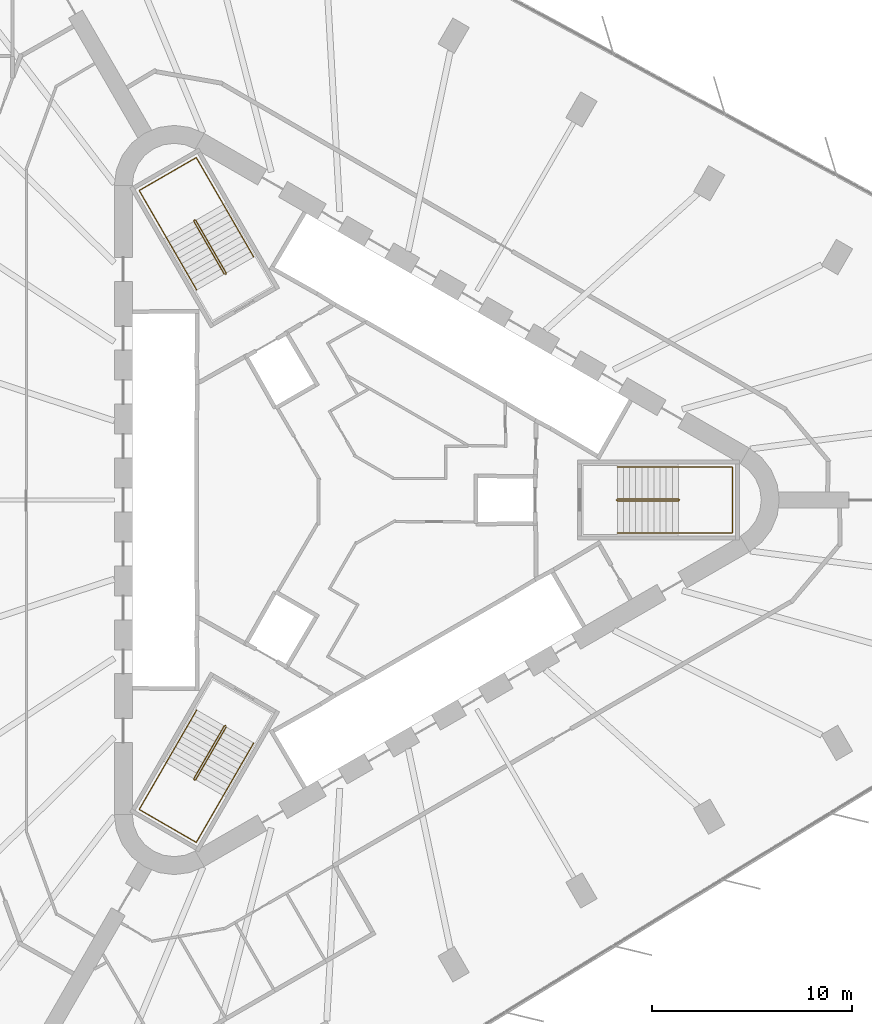
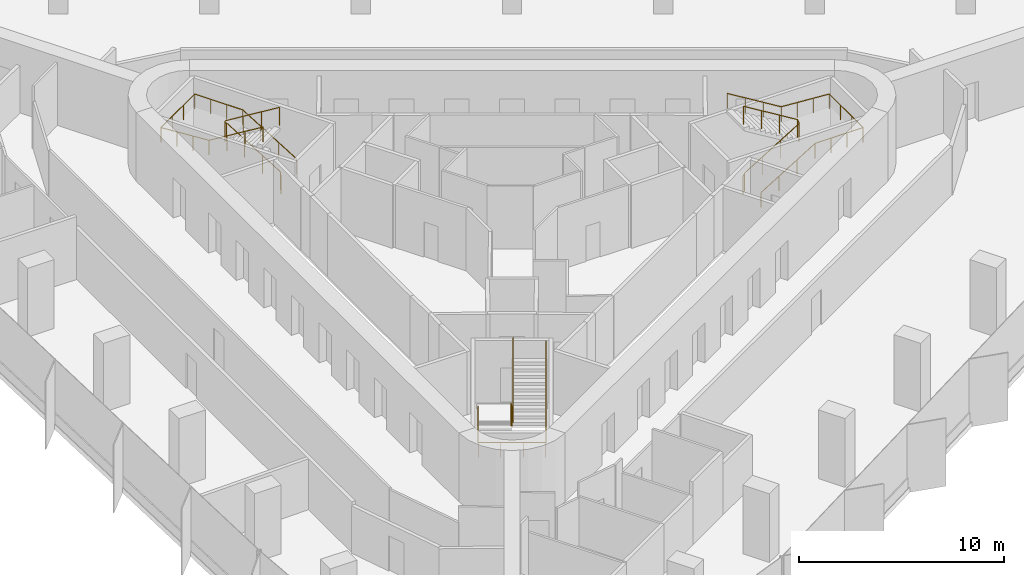
# One storey, part 14 of 14: 6 railings.
"""IFC4 building model written with IfcOpenShell, lengths in metres."""

from ifc_helpers import new_model, si_unit, direction, frame, origin, origin_2d, place, context, subcontext, project, spatial, circle, extrude, material, type_object, element, save


model = new_model("IFC4")

# Units and contexts
model_context = context("Model", 3, precision=1e-05, world=origin(), true_north=direction((0.0, 1.0)))
body_context = subcontext(model_context, "Body", "Model", "MODEL_VIEW")
ifc_project = project(units=[si_unit("LENGTHUNIT", "METRE"), si_unit("AREAUNIT", "SQUARE_METRE"), si_unit("VOLUMEUNIT", "CUBIC_METRE"), si_unit("PLANEANGLEUNIT", "RADIAN"), si_unit("MASSUNIT", "GRAM", prefix="KILO")], contexts=[model_context])

# Site, building, storey
site_placement = place(None, origin())
site = spatial("IfcSite", under=ifc_project, at=site_placement, CompositionType="ELEMENT")
building_placement = place(site_placement, origin())
building = spatial("IfcBuilding", under=site, at=building_placement, Name="Tanit Gate Tower", CompositionType="ELEMENT")
storey_placement = place(building_placement, frame((0.0, 0.0, 152.10009765625)))
storey = spatial("IfcBuildingStorey", under=building, at=storey_placement, Name="L33", CompositionType="ELEMENT", Elevation=152.10009765625)

# Railings
ifc_material_1 = material(Name="Stainless steel balustrade", Category="steel")
railing_type_1 = type_object("IfcRailingType", Name="INT-STAIR-GUARD", PredefinedType="GUARDRAIL", material=ifc_material_1)
railing_1_placement = place(storey_placement, frame((13.044921875, 0.0048828125, 0.0)))
element("IfcRailing", 1, at=railing_1_placement, inside=storey, type_object=railing_type_1, Name="L33 S1 stair guard 1", PredefinedType="GUARDRAIL", context=body_context, shape_type="SweptSolid", body=[
    extrude(circle(Radius=0.02392578125, at=origin_2d()), frame((0.0, 0.0, 1.076171875), z_axis=(0.0, -1.0, 0.0), x_axis=(1.0, 0.0, 0.0)), (0.0, 0.0, 1.0), 0.009765625),
    extrude(circle(Radius=0.02392578125, at=origin_2d()), frame((0.0, -0.009765625, 1.076171875), z_axis=(0.251157038772, -0.251157038772, 0.934794246747), x_axis=(0.707106781187, 0.707106781187, 0.0)), (0.0, 0.0, 1.0), 0.19921875),
    extrude(circle(Radius=0.02392578125, at=origin_2d()), frame((0.050048828125, -0.059814453125, 1.26220703125), z_axis=(0.853405036568, 0.0, 0.521248351134), x_axis=(0.0, 1.0, 0.0)), (0.0, 0.0, 1.0), 3.5751953125),
    extrude(circle(Radius=0.02392578125, at=origin_2d()), frame((3.10107421875, -0.059814453125, 3.1259765625), z_axis=(0.707106781187, 0.707106781187, 0.0), x_axis=(-0.707106781187, 0.707106781187, 0.0)), (0.0, 0.0, 1.0), 0.07080078125),
    extrude(circle(Radius=0.02392578125, at=origin_2d()), frame((3.151123046875, -0.009765625, 3.1259765625), z_axis=(0.0, 1.0, 0.0), x_axis=(-1.0, 0.0, 0.0)), (0.0, 0.0, 1.0), 0.009765625),
    extrude(circle(Radius=0.02392578125, at=origin_2d()), frame((3.151123046875, 0.0, 3.1259765625), z_axis=(-0.250869701741, 0.250869701741, 0.934948546978), x_axis=(-0.707106781187, -0.707106781187, 0.0)), (0.0, 0.0, 1.0), 0.199462890625),
    extrude(circle(Radius=0.02392578125, at=origin_2d()), frame((3.10107421875, 0.050048828125, 3.3125), z_axis=(-0.853405036568, 0.0, 0.521248351134), x_axis=(0.0, -1.0, 0.0)), (0.0, 0.0, 1.0), 3.5751953125),
    extrude(circle(Radius=0.02099609375, at=origin_2d()), origin(), (0.0, 0.0, 1.0), 1.052001953125),
    extrude(circle(Radius=0.02099609375, at=origin_2d()), frame((0.0, -0.009765625, 0.0)), (0.0, 0.0, 1.0), 1.052001953125),
    extrude(circle(Radius=0.02099609375, at=origin_2d()), frame((0.050048828125, -0.059814453125, 0.186279296875)), (0.0, 0.0, 1.0), 1.052001953125),
    extrude(circle(Radius=0.02099609375, at=origin_2d()), frame((1.067138671875, -0.059814453125, 0.807373046875)), (0.0, 0.0, 1.0), 1.052001953125),
    extrude(circle(Radius=0.02099609375, at=origin_2d()), frame((2.083984375, -0.059814453125, 1.4287109375)), (0.0, 0.0, 1.0), 1.052001953125),
    extrude(circle(Radius=0.02099609375, at=origin_2d()), frame((3.10107421875, -0.059814453125, 2.0498046875)), (0.0, 0.0, 1.0), 1.052001953125),
    extrude(circle(Radius=0.02099609375, at=origin_2d()), frame((3.151123046875, -0.009765625, 2.0498046875)), (0.0, 0.0, 1.0), 1.052001953125),
    extrude(circle(Radius=0.02099609375, at=origin_2d()), frame((3.151123046875, 0.0, 2.0498046875)), (0.0, 0.0, 1.0), 1.052001953125),
    extrude(circle(Radius=0.02099609375, at=origin_2d()), frame((3.10107421875, 0.050048828125, 2.236328125)), (0.0, 0.0, 1.0), 1.052001953125),
    extrude(circle(Radius=0.02099609375, at=origin_2d()), frame((2.083984375, 0.050048828125, 2.857421875)), (0.0, 0.0, 1.0), 1.052001953125),
    extrude(circle(Radius=0.02099609375, at=origin_2d()), frame((1.067138671875, 0.050048828125, 3.478759765625)), (0.0, 0.0, 1.0), 1.052001953125),
    extrude(circle(Radius=0.02099609375, at=origin_2d()), frame((0.050048828125, 0.050048828125, 4.099853515625)), (0.0, 0.0, 1.0), 1.052001953125),
])
railing_2_placement = place(storey_placement, frame((-6.527099609375, 11.29345703125, 0.0)))
element("IfcRailing", 2, at=railing_2_placement, inside=storey, type_object=railing_type_1, Name="L33 S2 stair guard 1", PredefinedType="GUARDRAIL", context=body_context, shape_type="SweptSolid", body=[
    extrude(circle(Radius=0.02392578125, at=origin_2d()), frame((0.0, 0.0, 1.076171875), z_axis=(0.868243142124, 0.496138938357, 0.0), x_axis=(-0.496138938357, 0.868243142124, 0.0)), (0.0, 0.0, 1.0), 0.01171875),
    extrude(circle(Radius=0.02392578125, at=origin_2d()), frame((0.01025390625, 0.005859375, 1.076171875), z_axis=(0.091888445584, 0.343050196848, 0.93481178641), x_axis=(-0.965948051503, 0.258736085224, 0.0)), (0.0, 0.0, 1.0), 0.19921875),
    extrude(circle(Radius=0.02392578125, at=origin_2d()), frame((0.028564453125, 0.07421875, 1.26220703125), z_axis=(-0.426651696395, 0.73893750972, 0.521478366466), x_axis=(-0.866012246495, -0.500022788402, 0.0)), (0.0, 0.0, 1.0), 3.573486328125),
    extrude(circle(Radius=0.02392578125, at=origin_2d()), frame((-1.49609375, 2.71484375, 3.1259765625), z_axis=(-0.965715946433, 0.259601060869, 0.0), x_axis=(-0.259601060869, -0.965715946433, 0.0)), (0.0, 0.0, 1.0), 0.070556640625),
    extrude(circle(Radius=0.02392578125, at=origin_2d()), frame((-1.564208984375, 2.733154296875, 3.1259765625), z_axis=(-0.873197702015, -0.487366159264, 0.0), x_axis=(0.487366159264, -0.873197702015, 0.0)), (0.0, 0.0, 1.0), 0.011962890625),
    extrude(circle(Radius=0.02392578125, at=origin_2d()), frame((-1.57470703125, 2.727294921875, 3.1259765625), z_axis=(-0.09178331637, -0.342657714447, 0.934966049419), x_axis=(0.965948051503, -0.258736085224, 0.0)), (0.0, 0.0, 1.0), 0.199462890625),
    extrude(circle(Radius=0.02392578125, at=origin_2d()), frame((-1.593017578125, 2.658935546875, 3.3125), z_axis=(0.426651696395, -0.73893750972, 0.521478366466), x_axis=(0.866012246495, 0.500022788402, 0.0)), (0.0, 0.0, 1.0), 3.573486328125),
    extrude(circle(Radius=0.02099609375, at=origin_2d()), origin(), (0.0, 0.0, 1.0), 1.052001953125),
    extrude(circle(Radius=0.02099609375, at=origin_2d()), frame((0.01025390625, 0.005859375, 0.0)), (0.0, 0.0, 1.0), 1.052001953125),
    extrude(circle(Radius=0.02099609375, at=origin_2d()), frame((0.028564453125, 0.07421875, 0.186279296875)), (0.0, 0.0, 1.0), 1.052001953125),
    extrude(circle(Radius=0.02099609375, at=origin_2d()), frame((-0.479736328125, 0.954345703125, 0.807373046875)), (0.0, 0.0, 1.0), 1.052001953125),
    extrude(circle(Radius=0.02099609375, at=origin_2d()), frame((-0.98779296875, 1.834716796875, 1.4287109375)), (0.0, 0.0, 1.0), 1.052001953125),
    extrude(circle(Radius=0.02099609375, at=origin_2d()), frame((-1.49609375, 2.71484375, 2.0498046875)), (0.0, 0.0, 1.0), 1.052001953125),
    extrude(circle(Radius=0.02099609375, at=origin_2d()), frame((-1.564208984375, 2.733154296875, 2.0498046875)), (0.0, 0.0, 1.0), 1.052001953125),
    extrude(circle(Radius=0.02099609375, at=origin_2d()), frame((-1.57470703125, 2.727294921875, 2.0498046875)), (0.0, 0.0, 1.0), 1.052001953125),
    extrude(circle(Radius=0.02099609375, at=origin_2d()), frame((-1.593017578125, 2.658935546875, 2.236328125)), (0.0, 0.0, 1.0), 1.052001953125),
    extrude(circle(Radius=0.02099609375, at=origin_2d()), frame((-1.084716796875, 1.77880859375, 2.857421875)), (0.0, 0.0, 1.0), 1.052001953125),
    extrude(circle(Radius=0.02099609375, at=origin_2d()), frame((-0.57666015625, 0.8984375, 3.478759765625)), (0.0, 0.0, 1.0), 1.052001953125),
    extrude(circle(Radius=0.02099609375, at=origin_2d()), frame((-0.068359375, 0.018310546875, 4.099853515625)), (0.0, 0.0, 1.0), 1.052001953125),
])
railing_3_placement = place(storey_placement, frame((-6.51806640625, -11.2998046875, 0.0)))
element("IfcRailing", 3, at=railing_3_placement, inside=storey, type_object=railing_type_1, Name="L33 S3 stair guard 1", PredefinedType="GUARDRAIL", context=body_context, shape_type="SweptSolid", body=[
    extrude(circle(Radius=0.02392578125, at=origin_2d()), frame((0.0, 0.0, 1.076171875), z_axis=(-0.874157276122, 0.485642931179, 0.0), x_axis=(-0.485642931179, -0.874157276122, 0.0)), (0.0, 0.0, 1.0), 0.010009765625),
    extrude(circle(Radius=0.02392578125, at=origin_2d()), frame((-0.0087890625, 0.0048828125, 1.076171875), z_axis=(-0.343088566343, -0.090673406819, 0.934916343285), x_axis=(0.255512919477, -0.966805641264, 0.0)), (0.0, 0.0, 1.0), 0.19921875),
    extrude(circle(Radius=0.02392578125, at=origin_2d()), frame((-0.0771484375, -0.01318359375, 1.26220703125), z_axis=(-0.426668548982, -0.73908990167, 0.521248565042), x_axis=(0.866048339477, -0.499960272111, 0.0)), (0.0, 0.0, 1.0), 3.5751953125),
    extrude(circle(Radius=0.02392578125, at=origin_2d()), frame((-1.6025390625, -2.655517578125, 3.1259765625), z_axis=(0.258736085224, -0.965948051503, 0.0), x_axis=(0.965948051503, 0.258736085224, 0.0)), (0.0, 0.0, 1.0), 0.07080078125),
    extrude(circle(Radius=0.02392578125, at=origin_2d()), frame((-1.584228515625, -2.723876953125, 3.1259765625), z_axis=(0.868243142124, -0.496138938357, 0.0), x_axis=(0.496138938357, 0.868243142124, 0.0)), (0.0, 0.0, 1.0), 0.009765625),
    extrude(circle(Radius=0.02392578125, at=origin_2d()), frame((-1.57568359375, -2.728759765625, 3.1259765625), z_axis=(0.342657714447, 0.09178331637, 0.934966049419), x_axis=(-0.258736085224, 0.965948051503, 0.0)), (0.0, 0.0, 1.0), 0.199462890625),
    extrude(circle(Radius=0.02392578125, at=origin_2d()), frame((-1.50732421875, -2.71044921875, 3.3125), z_axis=(0.426745940485, 0.73903737685, 0.521259683745), x_axis=(-0.865993683553, 0.500054937028, 0.0)), (0.0, 0.0, 1.0), 3.574951171875),
    extrude(circle(Radius=0.02099609375, at=origin_2d()), origin(), (0.0, 0.0, 1.0), 1.052001953125),
    extrude(circle(Radius=0.02099609375, at=origin_2d()), frame((-0.0087890625, 0.0048828125, 0.0)), (0.0, 0.0, 1.0), 1.052001953125),
    extrude(circle(Radius=0.02099609375, at=origin_2d()), frame((-0.0771484375, -0.01318359375, 0.186279296875)), (0.0, 0.0, 1.0), 1.052001953125),
    extrude(circle(Radius=0.02099609375, at=origin_2d()), frame((-0.585693359375, -0.89404296875, 0.807373046875)), (0.0, 0.0, 1.0), 1.052001953125),
    extrude(circle(Radius=0.02099609375, at=origin_2d()), frame((-1.093994140625, -1.774658203125, 1.4287109375)), (0.0, 0.0, 1.0), 1.052001953125),
    extrude(circle(Radius=0.02099609375, at=origin_2d()), frame((-1.6025390625, -2.655517578125, 2.0498046875)), (0.0, 0.0, 1.0), 1.052001953125),
    extrude(circle(Radius=0.02099609375, at=origin_2d()), frame((-1.584228515625, -2.723876953125, 2.0498046875)), (0.0, 0.0, 1.0), 1.052001953125),
    extrude(circle(Radius=0.02099609375, at=origin_2d()), frame((-1.57568359375, -2.728759765625, 2.0498046875)), (0.0, 0.0, 1.0), 1.052001953125),
    extrude(circle(Radius=0.02099609375, at=origin_2d()), frame((-1.50732421875, -2.71044921875, 2.236328125)), (0.0, 0.0, 1.0), 1.052001953125),
    extrude(circle(Radius=0.02099609375, at=origin_2d()), frame((-0.998779296875, -1.829833984375, 2.857421875)), (0.0, 0.0, 1.0), 1.052001953125),
    extrude(circle(Radius=0.02099609375, at=origin_2d()), frame((-0.490234375, -0.948974609375, 3.478759765625)), (0.0, 0.0, 1.0), 1.052001953125),
    extrude(circle(Radius=0.02099609375, at=origin_2d()), frame((0.018310546875, -0.068359375, 4.099853515625)), (0.0, 0.0, 1.0), 1.052001953125),
])
ifc_material_2 = material(Name="Stainless steel handrail", Category="steel")
railing_type_2 = type_object("IfcRailingType", Name="INT-STAIR-HANDRAIL", PredefinedType="HANDRAIL", material=ifc_material_2)
railing_4_placement = place(storey_placement, frame((13.094970703125, -1.64990234375, 0.186279296875)))
element("IfcRailing", 4, at=railing_4_placement, inside=storey, type_object=railing_type_2, Name="L33 S1 stair handrail 1", PredefinedType="HANDRAIL", context=body_context, shape_type="SweptSolid", body=[
    extrude(circle(Radius=0.02392578125, at=origin_2d()), frame((0.0, 0.0, 0.8759765625), z_axis=(0.853405036568, 0.0, 0.521248351134), x_axis=(0.0, 1.0, 0.0)), (0.0, 0.0, 1.0), 3.5751953125),
    extrude(circle(Radius=0.02392578125, at=origin_2d()), frame((3.051025390625, 0.0, 2.7392578125), z_axis=(1.0, 0.0, 0.0), x_axis=(0.0, 1.0, 0.0)), (0.0, 0.0, 1.0), 2.7041015625),
    extrude(circle(Radius=0.02392578125, at=origin_2d()), frame((5.755126953125, 0.0, 2.7392578125), z_axis=(0.0, 1.0, 0.0), x_axis=(-1.0, 0.0, 0.0)), (0.0, 0.0, 1.0), 3.2998046875),
    extrude(circle(Radius=0.02392578125, at=origin_2d()), frame((5.755126953125, 3.2998046875, 2.7392578125), z_axis=(-0.997629475601, 0.0, 0.068814456425), x_axis=(0.0, -1.0, 0.0)), (0.0, 0.0, 1.0), 2.71044921875),
    extrude(circle(Radius=0.02392578125, at=origin_2d()), frame((3.051025390625, 3.2998046875, 2.92578125), z_axis=(-0.853405036568, 0.0, 0.521248351134), x_axis=(0.0, -1.0, 0.0)), (0.0, 0.0, 1.0), 3.5751953125),
    extrude(circle(Radius=0.02099609375, at=origin_2d()), origin(), (0.0, 0.0, 1.0), 0.851806640625),
    extrude(circle(Radius=0.02099609375, at=origin_2d()), frame((1.01708984375, 0.0, 0.62109375)), (0.0, 0.0, 1.0), 0.851806640625),
    extrude(circle(Radius=0.02099609375, at=origin_2d()), frame((2.033935546875, 0.0, 1.242431640625)), (0.0, 0.0, 1.0), 0.851806640625),
    extrude(circle(Radius=0.02099609375, at=origin_2d()), frame((3.051025390625, 0.0, 1.863525390625)), (0.0, 0.0, 1.0), 0.851806640625),
    extrude(circle(Radius=0.02099609375, at=origin_2d()), frame((3.952392578125, 0.0, 1.863525390625)), (0.0, 0.0, 1.0), 0.851806640625),
    extrude(circle(Radius=0.02099609375, at=origin_2d()), frame((4.853759765625, 0.0, 1.863525390625)), (0.0, 0.0, 1.0), 0.851806640625),
    extrude(circle(Radius=0.02099609375, at=origin_2d()), frame((5.755126953125, 0.0, 1.863525390625)), (0.0, 0.0, 1.0), 0.851806640625),
    extrude(circle(Radius=0.02099609375, at=origin_2d()), frame((5.755126953125, 1.099853515625, 1.863525390625)), (0.0, 0.0, 1.0), 0.851806640625),
    extrude(circle(Radius=0.02099609375, at=origin_2d()), frame((5.755126953125, 2.199951171875, 1.863525390625)), (0.0, 0.0, 1.0), 0.851806640625),
    extrude(circle(Radius=0.02099609375, at=origin_2d()), frame((5.755126953125, 3.2998046875, 1.863525390625)), (0.0, 0.0, 1.0), 0.851806640625),
    extrude(circle(Radius=0.02099609375, at=origin_2d()), frame((4.853759765625, 3.2998046875, 1.92578125)), (0.0, 0.0, 1.0), 0.851806640625),
    extrude(circle(Radius=0.02099609375, at=origin_2d()), frame((3.952392578125, 3.2998046875, 1.98779296875)), (0.0, 0.0, 1.0), 0.851806640625),
    extrude(circle(Radius=0.02099609375, at=origin_2d()), frame((3.051025390625, 3.2998046875, 2.050048828125)), (0.0, 0.0, 1.0), 0.851806640625),
    extrude(circle(Radius=0.02099609375, at=origin_2d()), frame((2.033935546875, 3.2998046875, 2.671142578125)), (0.0, 0.0, 1.0), 0.851806640625),
    extrude(circle(Radius=0.02099609375, at=origin_2d()), frame((1.01708984375, 3.2998046875, 3.29248046875)), (0.0, 0.0, 1.0), 0.851806640625),
    extrude(circle(Radius=0.02099609375, at=origin_2d()), frame((0.0, 3.2998046875, 3.91357421875)), (0.0, 0.0, 1.0), 0.851806640625),
])
railing_5_placement = place(storey_placement, frame((-5.1181640625, 12.164794921875, 0.186279296875)))
element("IfcRailing", 5, at=railing_5_placement, inside=storey, type_object=railing_type_2, Name="L33 S2 stair handrail 1", PredefinedType="HANDRAIL", context=body_context, shape_type="SweptSolid", body=[
    extrude(circle(Radius=0.02392578125, at=origin_2d()), frame((0.0, 0.0, 0.8759765625), z_axis=(-0.426595811233, 0.738959047773, 0.521493566166), x_axis=(-0.866046917185, -0.499962735845, 0.0)), (0.0, 0.0, 1.0), 3.573486328125),
    extrude(circle(Radius=0.02392578125, at=origin_2d()), frame((-1.5244140625, 2.640625, 2.7392578125), z_axis=(-0.500019123664, 0.86601436245, 0.0), x_axis=(-0.86601436245, -0.500019123664, 0.0)), (0.0, 0.0, 1.0), 2.70703125),
    extrude(circle(Radius=0.02392578125, at=origin_2d()), frame((-2.8779296875, 4.98486328125, 2.7392578125), z_axis=(-0.866008176907, -0.50002983664, 0.0), x_axis=(0.50002983664, -0.866008176907, 0.0)), (0.0, 0.0, 1.0), 3.300048828125),
    extrude(circle(Radius=0.02392578125, at=origin_2d()), frame((-5.73583984375, 3.334716796875, 2.7392578125), z_axis=(0.498875061953, -0.86394290581, 0.068748294973), x_axis=(0.865991810323, 0.500058181068, 0.0)), (0.0, 0.0, 1.0), 2.713134765625),
    extrude(circle(Radius=0.02392578125, at=origin_2d()), frame((-4.38232421875, 0.99072265625, 2.92578125), z_axis=(0.426630158194, -0.738968522208, 0.521452041232), x_axis=(0.866032263162, 0.499988119021, 0.0)), (0.0, 0.0, 1.0), 3.57373046875),
    extrude(circle(Radius=0.02099609375, at=origin_2d()), origin(), (0.0, 0.0, 1.0), 0.851806640625),
    extrude(circle(Radius=0.02099609375, at=origin_2d()), frame((-0.508056640625, 0.880126953125, 0.62109375)), (0.0, 0.0, 1.0), 0.851806640625),
    extrude(circle(Radius=0.02099609375, at=origin_2d()), frame((-1.016357421875, 1.760498046875, 1.242431640625)), (0.0, 0.0, 1.0), 0.851806640625),
    extrude(circle(Radius=0.02099609375, at=origin_2d()), frame((-1.5244140625, 2.640625, 1.863525390625)), (0.0, 0.0, 1.0), 0.851806640625),
    extrude(circle(Radius=0.02099609375, at=origin_2d()), frame((-1.9755859375, 3.422119140625, 1.863525390625)), (0.0, 0.0, 1.0), 0.851806640625),
    extrude(circle(Radius=0.02099609375, at=origin_2d()), frame((-2.4267578125, 4.203369140625, 1.863525390625)), (0.0, 0.0, 1.0), 0.851806640625),
    extrude(circle(Radius=0.02099609375, at=origin_2d()), frame((-2.8779296875, 4.98486328125, 1.863525390625)), (0.0, 0.0, 1.0), 0.851806640625),
    extrude(circle(Radius=0.02099609375, at=origin_2d()), frame((-3.83056640625, 4.434814453125, 1.863525390625)), (0.0, 0.0, 1.0), 0.851806640625),
    extrude(circle(Radius=0.02099609375, at=origin_2d()), frame((-4.783203125, 3.884765625, 1.863525390625)), (0.0, 0.0, 1.0), 0.851806640625),
    extrude(circle(Radius=0.02099609375, at=origin_2d()), frame((-5.73583984375, 3.334716796875, 1.863525390625)), (0.0, 0.0, 1.0), 0.851806640625),
    extrude(circle(Radius=0.02099609375, at=origin_2d()), frame((-5.28466796875, 2.553466796875, 1.92578125)), (0.0, 0.0, 1.0), 0.851806640625),
    extrude(circle(Radius=0.02099609375, at=origin_2d()), frame((-4.83349609375, 1.77197265625, 1.98779296875)), (0.0, 0.0, 1.0), 0.851806640625),
    extrude(circle(Radius=0.02099609375, at=origin_2d()), frame((-4.38232421875, 0.99072265625, 2.050048828125)), (0.0, 0.0, 1.0), 0.851806640625),
    extrude(circle(Radius=0.02099609375, at=origin_2d()), frame((-3.8740234375, 0.1103515625, 2.671142578125)), (0.0, 0.0, 1.0), 0.851806640625),
    extrude(circle(Radius=0.02099609375, at=origin_2d()), frame((-3.365966796875, -0.769775390625, 3.29248046875)), (0.0, 0.0, 1.0), 0.851806640625),
    extrude(circle(Radius=0.02099609375, at=origin_2d()), frame((-2.857666015625, -1.650146484375, 3.91357421875)), (0.0, 0.0, 1.0), 0.851806640625),
])
railing_6_placement = place(storey_placement, frame((-7.9765625, -10.515625, 0.186279296875)))
element("IfcRailing", 6, at=railing_6_placement, inside=storey, type_object=railing_type_2, Name="L33 S3 stair handrail 1", PredefinedType="HANDRAIL", context=body_context, shape_type="SweptSolid", body=[
    extrude(circle(Radius=0.02392578125, at=origin_2d()), frame((0.0, 0.0, 0.8759765625), z_axis=(-0.426668548982, -0.73908990167, 0.521248565042), x_axis=(0.866048339477, -0.499960272111, 0.0)), (0.0, 0.0, 1.0), 3.5751953125),
    extrude(circle(Radius=0.02392578125, at=origin_2d()), frame((-1.525390625, -2.642333984375, 2.7392578125), z_axis=(-0.50004290449, -0.866000631449, 0.0), x_axis=(0.866000631449, -0.50004290449, 0.0)), (0.0, 0.0, 1.0), 2.703857421875),
    extrude(circle(Radius=0.02392578125, at=origin_2d()), frame((-2.87744140625, -4.98388671875, 2.7392578125), z_axis=(0.866008176907, -0.50002983664, 0.0), x_axis=(0.50002983664, 0.866008176907, 0.0)), (0.0, 0.0, 1.0), 3.300048828125),
    extrude(circle(Radius=0.02392578125, at=origin_2d()), frame((-0.01953125, -6.634033203125, 2.7392578125), z_axis=(0.498818517556, 0.863970245648, 0.068814977864), x_axis=(-0.866023205937, 0.500003806764, 0.0)), (0.0, 0.0, 1.0), 2.71044921875),
    extrude(circle(Radius=0.02392578125, at=origin_2d()), frame((1.33251953125, -4.292236328125, 2.92578125), z_axis=(0.426668548982, 0.73908990167, 0.521248565042), x_axis=(-0.866048339477, 0.499960272111, 0.0)), (0.0, 0.0, 1.0), 3.5751953125),
    extrude(circle(Radius=0.02099609375, at=origin_2d()), origin(), (0.0, 0.0, 1.0), 0.851806640625),
    extrude(circle(Radius=0.02099609375, at=origin_2d()), frame((-0.508544921875, -0.880859375, 0.62109375)), (0.0, 0.0, 1.0), 0.851806640625),
    extrude(circle(Radius=0.02099609375, at=origin_2d()), frame((-1.016845703125, -1.761474609375, 1.242431640625)), (0.0, 0.0, 1.0), 0.851806640625),
    extrude(circle(Radius=0.02099609375, at=origin_2d()), frame((-1.525390625, -2.642333984375, 1.863525390625)), (0.0, 0.0, 1.0), 0.851806640625),
    extrude(circle(Radius=0.02099609375, at=origin_2d()), frame((-1.97607421875, -3.4228515625, 1.863525390625)), (0.0, 0.0, 1.0), 0.851806640625),
    extrude(circle(Radius=0.02099609375, at=origin_2d()), frame((-2.4267578125, -4.203369140625, 1.863525390625)), (0.0, 0.0, 1.0), 0.851806640625),
    extrude(circle(Radius=0.02099609375, at=origin_2d()), frame((-2.87744140625, -4.98388671875, 1.863525390625)), (0.0, 0.0, 1.0), 0.851806640625),
    extrude(circle(Radius=0.02099609375, at=origin_2d()), frame((-1.9248046875, -5.533935546875, 1.863525390625)), (0.0, 0.0, 1.0), 0.851806640625),
    extrude(circle(Radius=0.02099609375, at=origin_2d()), frame((-0.97216796875, -6.083984375, 1.863525390625)), (0.0, 0.0, 1.0), 0.851806640625),
    extrude(circle(Radius=0.02099609375, at=origin_2d()), frame((-0.01953125, -6.634033203125, 1.863525390625)), (0.0, 0.0, 1.0), 0.851806640625),
    extrude(circle(Radius=0.02099609375, at=origin_2d()), frame((0.43115234375, -5.853515625, 1.92578125)), (0.0, 0.0, 1.0), 0.851806640625),
    extrude(circle(Radius=0.02099609375, at=origin_2d()), frame((0.8818359375, -5.07275390625, 1.98779296875)), (0.0, 0.0, 1.0), 0.851806640625),
    extrude(circle(Radius=0.02099609375, at=origin_2d()), frame((1.33251953125, -4.292236328125, 2.050048828125)), (0.0, 0.0, 1.0), 0.851806640625),
    extrude(circle(Radius=0.02099609375, at=origin_2d()), frame((1.841064453125, -3.411376953125, 2.671142578125)), (0.0, 0.0, 1.0), 0.851806640625),
    extrude(circle(Radius=0.02099609375, at=origin_2d()), frame((2.349365234375, -2.53076171875, 3.29248046875)), (0.0, 0.0, 1.0), 0.851806640625),
    extrude(circle(Radius=0.02099609375, at=origin_2d()), frame((2.85791015625, -1.64990234375, 3.91357421875)), (0.0, 0.0, 1.0), 0.851806640625),
])

save(model, "model.ifc")
